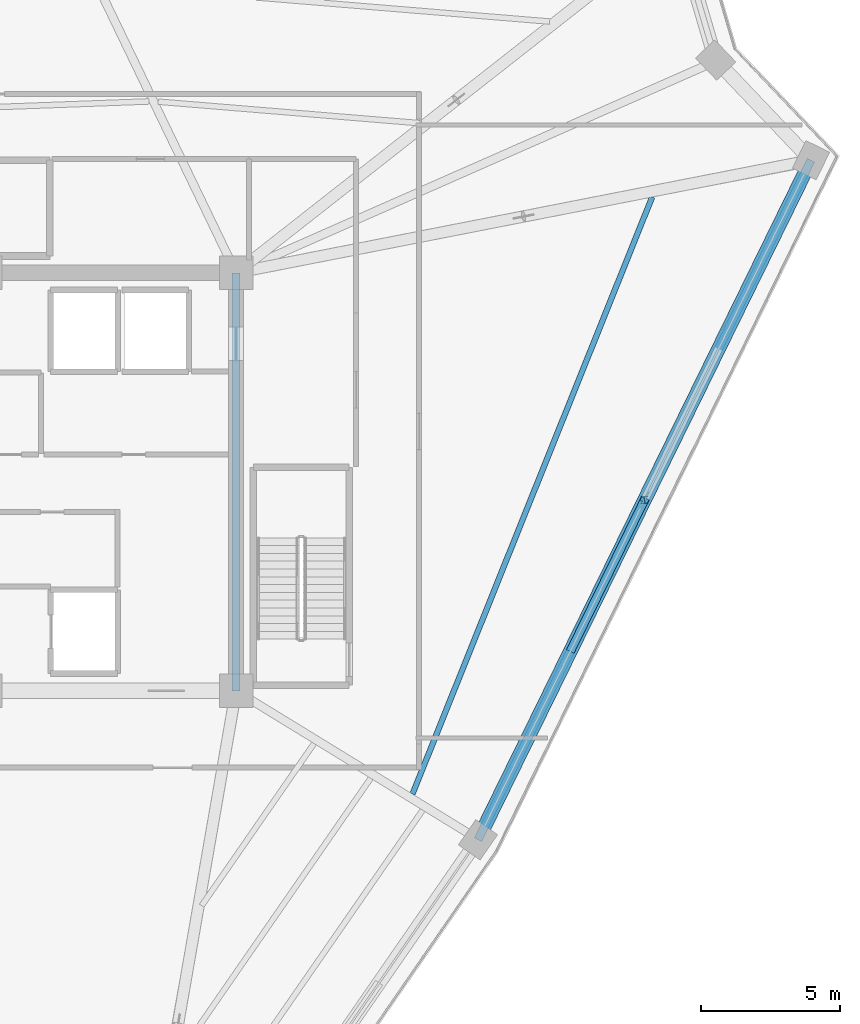
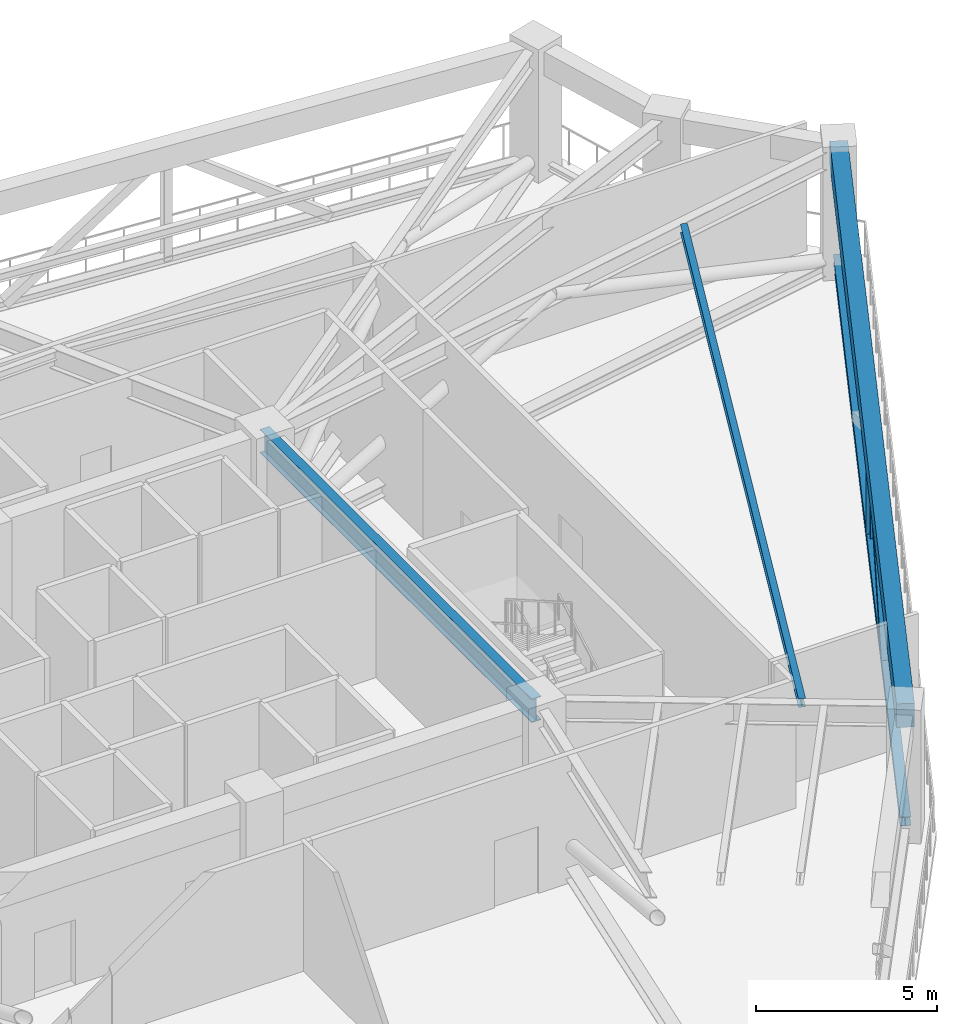
# One storey, part 5 of 22: 3 beams, 3 members.
"""IFC4 building model written with IfcOpenShell, lengths in metres."""

import ifcopenshell
import ifcopenshell.guid

model = None  # the IFC model being written
_history = None  # IfcOwnerHistory: only IFC2X3 demands one
_inside = {}  # id of a spatial element -> (the spatial element, [elements in it])
_under = {}  # id of a project, library or spatial element -> (it, [spatial elements below it])
_declared = {}  # id of a project -> (the project, [libraries it declares])
_typed = {}  # id of a type object -> (the type object, [elements of that type])
_made_of = {}  # id of a material, layer set ... -> (it, [elements and type objects made of it])


def new_model(schema):
    """Start an empty IFC model of exactly this schema.

    Asked for "IFC4X3", IfcOpenShell would pick the latest addendum, in which some entities
    have other attributes; the version numbers below select the first issue.
    IFC2X3 requires an IfcOwnerHistory on every rooted entity: one is made here for all.
    """
    global model, _history
    if schema == "IFC4X3":
        model = ifcopenshell.file(schema_version=(4, 3, 0, 0))
    else:
        model = ifcopenshell.file(schema=schema)
    _inside.clear()
    _under.clear()
    _declared.clear()
    _typed.clear()
    _made_of.clear()
    _history = None
    if model.schema == "IFC2X3":
        org = make("IfcOrganization", Name="unknown")
        user = make(
            "IfcPersonAndOrganization",
            ThePerson=make("IfcPerson", FamilyName="unknown"),
            TheOrganization=org,
        )
        app = make(
            "IfcApplication",
            ApplicationDeveloper=org,
            Version="unknown",
            ApplicationFullName="unknown",
            ApplicationIdentifier="unknown",
        )
        _history = make(
            "IfcOwnerHistory",
            OwningUser=user,
            OwningApplication=app,
            ChangeAction="ADDED",
            CreationDate=0,
        )
    return model


def make(cls, **values):
    """One entity of the class cls with the attributes given. An attribute that is None is left unset."""
    return model.create_entity(
        cls, **{name: value for name, value in values.items() if value is not None}
    )


def rooted(cls, **values):
    """An entity with a GlobalId (a new one), such as an element, a storey or a relation."""
    return make(cls, GlobalId=ifcopenshell.guid.new(), OwnerHistory=_history, **values)


def si_unit(unit_type, name, prefix=None):
    """IfcSIUnit, for example si_unit("LENGTHUNIT", "METRE", prefix="MILLI")."""
    return make("IfcSIUnit", UnitType=unit_type, Prefix=prefix, Name=name)


def assignment(units):
    """IfcUnitAssignment: the units of a project."""
    return None if units is None else make("IfcUnitAssignment", Units=units)


def point(xyz):
    """IfcCartesianPoint."""
    return None if xyz is None else make("IfcCartesianPoint", Coordinates=xyz)


def direction(xyz):
    """IfcDirection."""
    return None if xyz is None else make("IfcDirection", DirectionRatios=xyz)


def frame(location, z_axis=None, x_axis=None):
    """IfcAxis2Placement3D, a coordinate frame: its origin and axes. An axis left out is left unset."""
    return make(
        "IfcAxis2Placement3D",
        Location=point(location),
        Axis=direction(z_axis),
        RefDirection=direction(x_axis),
    )


def frame_2d(location, x_axis=None):
    """IfcAxis2Placement2D, a coordinate frame in the plane: its origin and x axis."""
    return make(
        "IfcAxis2Placement2D", Location=point(location), RefDirection=direction(x_axis)
    )


def origin():
    """The frame at (0, 0, 0) with its axes left unset."""
    return frame((0.0, 0.0, 0.0))


def origin_2d():
    """The frame at (0, 0) in the plane with its x axis left unset."""
    return frame_2d((0.0, 0.0))


def place(relative_to, where):
    """IfcLocalPlacement: puts the frame where relative to a parent placement (None: the world)."""
    return make(
        "IfcLocalPlacement", PlacementRelTo=relative_to, RelativePlacement=where
    )


def context(
    kind, dimensions, precision=None, world=None, true_north=None, identifier=None
):
    """IfcGeometricRepresentationContext, for example the 3D "Model" context."""
    return make(
        "IfcGeometricRepresentationContext",
        ContextIdentifier=identifier,
        ContextType=kind,
        CoordinateSpaceDimension=dimensions,
        Precision=precision,
        WorldCoordinateSystem=world,
        TrueNorth=true_north,
    )


def subcontext(parent, identifier, kind, view, scale=None):
    """IfcGeometricRepresentationSubContext, for example "Body" below "Model"."""
    return make(
        "IfcGeometricRepresentationSubContext",
        ContextIdentifier=identifier,
        ContextType=kind,
        ParentContext=parent,
        TargetScale=scale,
        TargetView=view,
    )


def project(units=None, contexts=None):
    """IfcProject with its units and contexts."""
    return rooted(
        "IfcProject",
        Name="project",
        RepresentationContexts=contexts,
        UnitsInContext=assignment(units),
    )


def spatial(cls, under=None, at=None, **own):
    """A site, building, storey or space (cls), placed at a placement, below another one or the project."""
    s = rooted(cls, ObjectPlacement=at, **own)
    if under is not None:
        _under.setdefault(under.id(), (under, []))[1].append(s)
    return s


def profile(cls, at=None, kind="AREA", **sizes):
    """A parametric profile (cls). Its sizes go by their IFC names, for example OverallWidth=200.0."""
    return make(cls, ProfileType=kind, Position=at, **sizes)


def rectangle(**sizes):
    """IfcRectangleProfileDef."""
    return profile("IfcRectangleProfileDef", **sizes)


def hollow_rectangle(**sizes):
    """IfcRectangleHollowProfileDef."""
    return profile("IfcRectangleHollowProfileDef", **sizes)


def i_section(**sizes):
    """IfcIShapeProfileDef."""
    return profile("IfcIShapeProfileDef", **sizes)


def extrude(swept, where, along, depth):
    """IfcExtrudedAreaSolid: the profile swept, set in the frame where, extruded along a direction by depth."""
    return make(
        "IfcExtrudedAreaSolid",
        SweptArea=swept,
        Position=where,
        ExtrudedDirection=direction(along),
        Depth=depth,
    )


def shape(context_of_items, identifier, shape_type, items):
    """IfcShapeRepresentation: the items that make up one representation, for example the "Body"."""
    return make(
        "IfcShapeRepresentation",
        ContextOfItems=context_of_items,
        RepresentationIdentifier=identifier,
        RepresentationType=shape_type,
        Items=items,
    )


def source(mapping_origin, context_of_items, identifier, shape_type, items):
    """IfcRepresentationMap: a shape defined once, which mapped items show again and again."""
    return make(
        "IfcRepresentationMap",
        MappingOrigin=mapping_origin,
        MappedRepresentation=shape(context_of_items, identifier, shape_type, items),
    )


def transform(
    local_origin,
    x_axis=None,
    y_axis=None,
    z_axis=None,
    scale=None,
    scale2=None,
    scale3=None,
    uniform=True,
):
    """IfcCartesianTransformationOperator3D, or its non-uniform kind. x_axis, y_axis, z_axis: its Axis1, 2, 3."""
    if uniform:
        return make(
            "IfcCartesianTransformationOperator3D",
            Axis1=direction(x_axis),
            Axis2=direction(y_axis),
            LocalOrigin=point(local_origin),
            Scale=scale,
            Axis3=direction(z_axis),
        )
    return make(
        "IfcCartesianTransformationOperator3DnonUniform",
        Axis1=direction(x_axis),
        Axis2=direction(y_axis),
        LocalOrigin=point(local_origin),
        Scale=scale,
        Axis3=direction(z_axis),
        Scale2=scale2,
        Scale3=scale3,
    )


def mapped(mapping_source, mapping_target):
    """IfcMappedItem: shows the shape of a source again, moved by a transform."""
    return make(
        "IfcMappedItem", MappingSource=mapping_source, MappingTarget=mapping_target
    )


def material(Name=None, Category=None):
    """IfcMaterial."""
    return make("IfcMaterial", Name=Name, Category=Category)


def material_profile(
    of_material, cross_section, Name=None, Category=None, Priority=None
):
    """IfcMaterialProfile: a cross section and its material."""
    return make(
        "IfcMaterialProfile",
        Name=Name,
        Material=of_material,
        Profile=cross_section,
        Priority=Priority,
        Category=Category,
    )


def profile_set(profiles, Name=None, composite=None):
    """IfcMaterialProfileSet."""
    return make(
        "IfcMaterialProfileSet",
        Name=Name,
        MaterialProfiles=profiles,
        CompositeProfile=composite,
    )


def made_of(thing, what):
    """Note that an element or type object is made of a material, layer set ...; save() writes the relation."""
    if what is not None:
        _made_of.setdefault(what.id(), (what, []))[1].append(thing)
    return thing


def type_object(cls, material=None, **own):
    """A type object (cls), such as IfcWallType, which elements share."""
    return made_of(rooted(cls, **own), material)


def element(
    cls,
    number,
    at=None,
    inside=None,
    cuts=None,
    type_object=None,
    material=None,
    context=None,
    identifier="Body",
    shape_type=None,
    held_by="IfcProductDefinitionShape",
    body=None,
    shapes=None,
    **own,
):
    """One element of the class cls, such as IfcWall. Its Tag is "e" and its number.

    at: its placement. inside: the storey or other place that contains it. cuts: it is an
    opening in that element (IfcRelVoidsElement). A single representation is given by context,
    identifier, shape_type and body (its items); several are given by shapes. held_by: the class
    of the entity that holds the representations. save() writes the other relations.
    """
    e = rooted(cls, Tag="e%d" % number, ObjectPlacement=at, **own)
    if body is not None:
        shapes = [shape(context, identifier, shape_type, body)]
    if shapes is not None:
        e.Representation = make(held_by, Representations=shapes)
    if inside is not None:
        _inside.setdefault(inside.id(), (inside, []))[1].append(e)
    if cuts is not None:
        rooted(
            "IfcRelVoidsElement", RelatingBuildingElement=cuts, RelatedOpeningElement=e
        )
    if type_object is not None:
        _typed.setdefault(type_object.id(), (type_object, []))[1].append(e)
    return made_of(e, material)


def aggregate(whole, parts):
    """IfcRelAggregates: a whole, such as a stair, and the parts it consists of."""
    return rooted("IfcRelAggregates", RelatingObject=whole, RelatedObjects=parts)


def save(model, path):
    """Write the relations noted so far, then the file.

    IfcRelAggregates (storeys below a building ...), IfcRelContainedInSpatialStructure (elements
    in a storey), IfcRelDefinesByType, IfcRelAssociatesMaterial and IfcRelDeclares: one each for
    every whole, place, type object, material and project.
    """
    for whole, parts in _under.values():
        aggregate(whole, parts)
    for where, things in _inside.values():
        rooted(
            "IfcRelContainedInSpatialStructure",
            RelatedElements=things,
            RelatingStructure=where,
        )
    for kind, things in _typed.values():
        rooted("IfcRelDefinesByType", RelatedObjects=things, RelatingType=kind)
    for what, things in _made_of.values():
        rooted("IfcRelAssociatesMaterial", RelatedObjects=things, RelatingMaterial=what)
    for by, libraries in _declared.values():
        rooted("IfcRelDeclares", RelatingContext=by, RelatedDefinitions=libraries)
    model.write(path)


model = new_model("IFC4")

# Units and contexts
model_context = context("Model", 3, precision=1e-05, world=origin(), true_north=direction((0.0, 1.0)))
body_context = subcontext(model_context, "Body", "Model", "MODEL_VIEW")
ifc_project = project(units=[si_unit("LENGTHUNIT", "METRE"), si_unit("AREAUNIT", "SQUARE_METRE"), si_unit("VOLUMEUNIT", "CUBIC_METRE"), si_unit("PLANEANGLEUNIT", "RADIAN"), si_unit("MASSUNIT", "GRAM", prefix="KILO")], contexts=[model_context])

# Site, building, storey
site_placement = place(None, origin())
site = spatial("IfcSite", under=ifc_project, at=site_placement, CompositionType="ELEMENT")
building_placement = place(site_placement, origin())
building = spatial("IfcBuilding", under=site, at=building_placement, Name="Liaohun Quay Tower", CompositionType="ELEMENT")
storey_placement = place(building_placement, frame((0.0, 0.0, 324.0)))
storey = spatial("IfcBuildingStorey", under=building, at=storey_placement, Name="L84", CompositionType="ELEMENT", Elevation=324.0)

# Beam
ifc_material_1 = material(Name="Steel Q355D", Category="steel")
ifc_material_profile_1 = material_profile(ifc_material_1, i_section(OverallWidth=0.300048828125, OverallDepth=0.800048828125, WebThickness=0.013916015625, FlangeThickness=0.02587890625, at=origin_2d()), Name="HN800x300x14x26")
ifc_profile_set_1 = profile_set([ifc_material_profile_1], Name="Steel Q355D")
beam_type_1 = type_object("IfcBeamType", Name="BM-RAD-M1", PredefinedType="BEAM", material=ifc_profile_set_1)
shared_shape_1 = source(origin(), body_context, "Body", "SweptSolid", [
    extrude(i_section(OverallWidth=0.300048828125, OverallDepth=0.800048828125, WebThickness=0.013916015625, FlangeThickness=0.02587890625, at=origin_2d()), origin(), (0.0, 0.0, 1.0), 15.0),
])
beam_1_placement = place(storey_placement, frame((69.0, 46.5, 3.919921875), z_axis=(0.0, 1.0, 0.0), x_axis=(-1.0, 0.0, 0.0)))
element("IfcBeam", 1, at=beam_1_placement, inside=storey, type_object=beam_type_1, Name="L84 Core Coupling/Ring Beam CC3-CC4", PredefinedType="BEAM", context=body_context, shape_type="MappedRepresentation", body=[
    mapped(shared_shape_1, transform((0.0, 0.0, 0.0), x_axis=(1.0, 0.0, 0.0), y_axis=(0.0, 1.0, 0.0), z_axis=(0.0, 0.0, 1.0), scale=1.0)),
])

# Member
ifc_material_profile_2 = material_profile(ifc_material_1, i_section(OverallWidth=0.25, OverallDepth=0.25, WebThickness=0.009033203125, FlangeThickness=0.013916015625, at=origin_2d()), Name="HW250x250x9x14")
ifc_profile_set_2 = profile_set([ifc_material_profile_2], Name="Steel Q355D")
member_type_1 = type_object("IfcMemberType", Name="MEM-BLT-PST", PredefinedType="POST", material=ifc_profile_set_2)
shared_shape_2 = source(origin(), body_context, "Body", "SweptSolid", [
    extrude(i_section(OverallWidth=0.25, OverallDepth=0.25, WebThickness=0.009033203125, FlangeThickness=0.013916015625, at=origin_2d()), origin(), (0.0, 0.0, 1.0), 3.669921875),
])
member_1_placement = place(storey_placement, frame((83.655029296875, 53.345947265625, 0.35009765625), z_axis=(0.0, 0.0, 1.0), x_axis=(1.0, 0.0, 0.0)))
element("IfcMember", 2, at=member_1_placement, inside=storey, type_object=member_type_1, Name="L84 Belt Truss Vertical Post BP-1-05", PredefinedType="POST", context=body_context, shape_type="MappedRepresentation", body=[
    mapped(shared_shape_2, transform((0.0, 0.0, 0.0), x_axis=(1.0, 0.0, 0.0), y_axis=(0.0, 1.0, 0.0), z_axis=(0.0, 0.0, 1.0), scale=1.0)),
])

# Beams
ifc_material_2 = material(Name="Precast concrete C50", Category="concrete")
ifc_material_profile_3 = material_profile(ifc_material_2, rectangle(XDim=0.5, YDim=0.800048828125, at=origin_2d()), Name="RC500x800")
ifc_profile_set_3 = profile_set([ifc_material_profile_3], Name="Precast concrete C50")
beam_type_2 = type_object("IfcBeamType", Name="BM-SPD-Z4", PredefinedType="SPANDREL", material=ifc_profile_set_3)
shared_shape_3 = source(origin(), body_context, "Body", "SweptSolid", [
    extrude(rectangle(XDim=0.5, YDim=0.800048828125, at=origin_2d()), origin(), (0.0, 0.0, 1.0), 27.15478515625),
])
beam_2_placement = place(storey_placement, frame((89.6298828125, 65.5380859375, 3.919921875), z_axis=(-0.440067954388, -0.897964473418, 0.0), x_axis=(0.897964473418, -0.440067954388, 0.0)))
element("IfcBeam", 3, at=beam_2_placement, inside=storey, type_object=beam_type_2, Name="L84 Precast Spandrel Beam PC09-PC10", PredefinedType="SPANDREL", context=body_context, shape_type="MappedRepresentation", body=[
    mapped(shared_shape_3, transform((0.0, 0.0, 0.0), x_axis=(1.0, 0.0, 0.0), y_axis=(0.0, 1.0, 0.0), z_axis=(0.0, 0.0, 1.0), scale=1.0)),
])
ifc_material_profile_4 = material_profile(ifc_material_1, i_section(OverallWidth=0.199951171875, OverallDepth=0.2939453125, WebThickness=0.008056640625, FlangeThickness=0.011962890625, at=origin_2d()), Name="HM294x200x8x12")
ifc_profile_set_4 = profile_set([ifc_material_profile_4], Name="Steel Q355D")
beam_type_3 = type_object("IfcBeamType", Name="BM-SEC-J4", PredefinedType="JOIST", material=ifc_profile_set_4)
shared_shape_4 = source(origin(), body_context, "Body", "SweptSolid", [
    extrude(i_section(OverallWidth=0.199951171875, OverallDepth=0.2939453125, WebThickness=0.008056640625, FlangeThickness=0.011962890625, at=origin_2d()), origin(), (0.0, 0.0, 1.0), 23.08740234375),
])
beam_3_placement = place(storey_placement, frame((83.931884765625, 64.219970703125, 4.173095703125), z_axis=(-0.372577288252, -0.928001166098, 0.0), x_axis=(0.928001166098, -0.372577288252, 0.0)))
element("IfcBeam", 4, at=beam_3_placement, inside=storey, type_object=beam_type_3, Name="L84 Wing Secondary Floor Joist SJ-11", PredefinedType="JOIST", context=body_context, shape_type="MappedRepresentation", body=[
    mapped(shared_shape_4, transform((0.0, 0.0, 0.0), x_axis=(1.0, 0.0, 0.0), y_axis=(0.0, 1.0, 0.0), z_axis=(0.0, 0.0, 1.0), scale=1.0)),
])

# Members
ifc_material_profile_5 = material_profile(ifc_material_1, i_section(OverallWidth=0.300048828125, OverallDepth=0.300048828125, WebThickness=0.010009765625, FlangeThickness=0.014892578125, at=origin_2d()), Name="HW300x300x10x15")
ifc_profile_set_5 = profile_set([ifc_material_profile_5], Name="Steel Q355D")
member_type_2 = type_object("IfcMemberType", Name="MEM-BLT-CHD", PredefinedType="CHORD", material=ifc_profile_set_5)
shared_shape_5 = source(origin(), body_context, "Body", "SweptSolid", [
    extrude(i_section(OverallWidth=0.300048828125, OverallDepth=0.300048828125, WebThickness=0.010009765625, FlangeThickness=0.014892578125, at=origin_2d()), origin(), (0.0, 0.0, 1.0), 27.15478515625),
])
member_2_placement = place(storey_placement, frame((89.6298828125, 65.5380859375, 0.35009765625), z_axis=(-0.440067954388, -0.897964473418, 0.0), x_axis=(0.897964473418, -0.440067954388, 0.0)))
element("IfcMember", 5, at=member_2_placement, inside=storey, type_object=member_type_2, Name="L84 Belt Truss Bottom Chord BC-1-05", PredefinedType="CHORD", context=body_context, shape_type="MappedRepresentation", body=[
    mapped(shared_shape_5, transform((0.0, 0.0, 0.0), x_axis=(1.0, 0.0, 0.0), y_axis=(0.0, 1.0, 0.0), z_axis=(0.0, 0.0, 1.0), scale=1.0)),
])
ifc_material_profile_6 = material_profile(ifc_material_1, hollow_rectangle(XDim=0.300048828125, YDim=0.300048828125, WallThickness=0.013916015625, at=origin_2d()), Name="SHS300x300x14")
ifc_profile_set_6 = profile_set([ifc_material_profile_6], Name="Steel Q355D")
member_type_3 = type_object("IfcMemberType", Name="MEM-BLT-DG3", PredefinedType="BRACE", material=ifc_profile_set_6)
shared_shape_6 = source(origin(), body_context, "Body", "SweptSolid", [
    extrude(hollow_rectangle(XDim=0.300048828125, YDim=0.300048828125, WallThickness=0.013916015625, at=origin_2d()), origin(), (0.0, 0.0, 1.0), 7.010986328125),
])
member_3_placement = place(storey_placement, frame((83.655029296875, 53.345947265625, 4.02001953125), z_axis=(-0.375006367996, -0.765090993707, -0.523455819827), x_axis=(0.897938458192, -0.440121034831, 0.0)))
element("IfcMember", 6, at=member_3_placement, inside=storey, type_object=member_type_3, Name="L84 Belt Truss Diagonal BD-05B", PredefinedType="BRACE", context=body_context, shape_type="MappedRepresentation", body=[
    mapped(shared_shape_6, transform((0.0, 0.0, 0.0), x_axis=(1.0, 0.0, 0.0), y_axis=(0.0, 1.0, 0.0), z_axis=(0.0, 0.0, 1.0), scale=1.0)),
])

save(model, "model.ifc")
